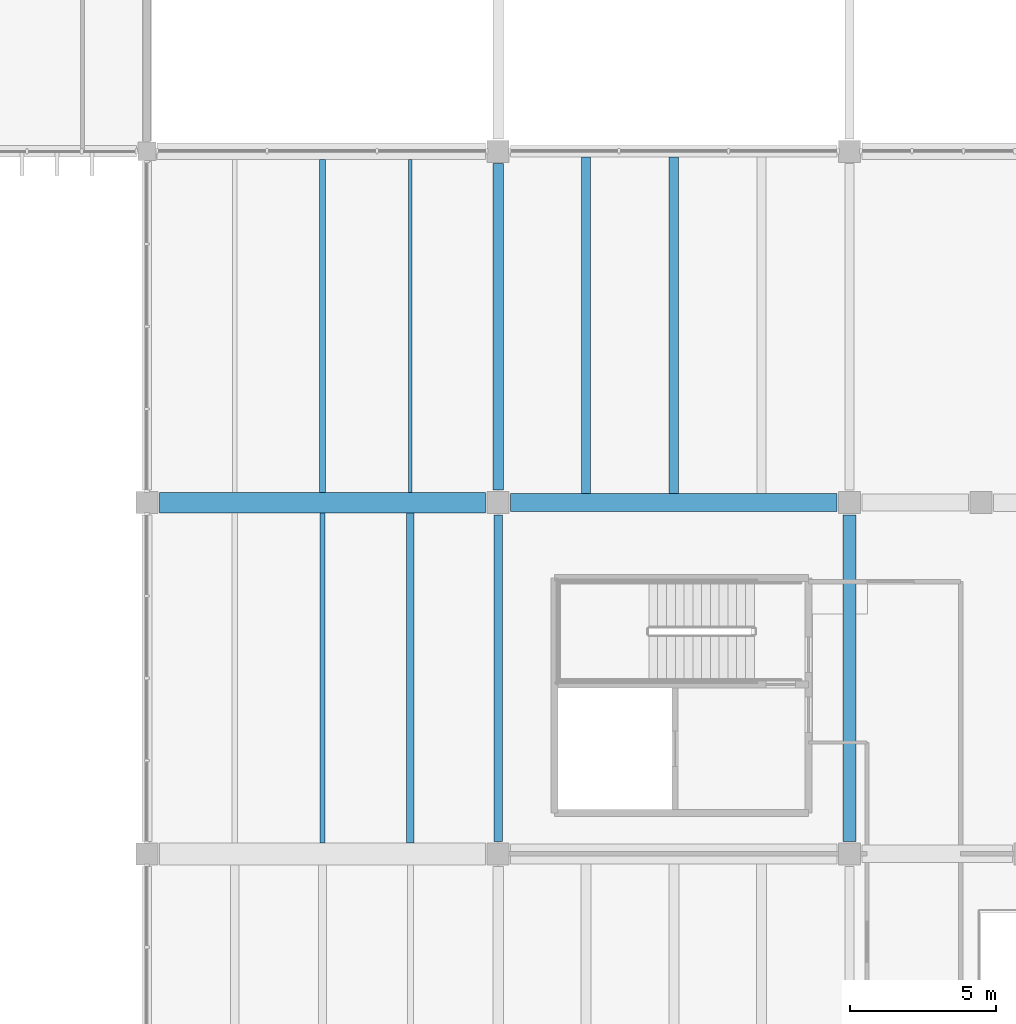
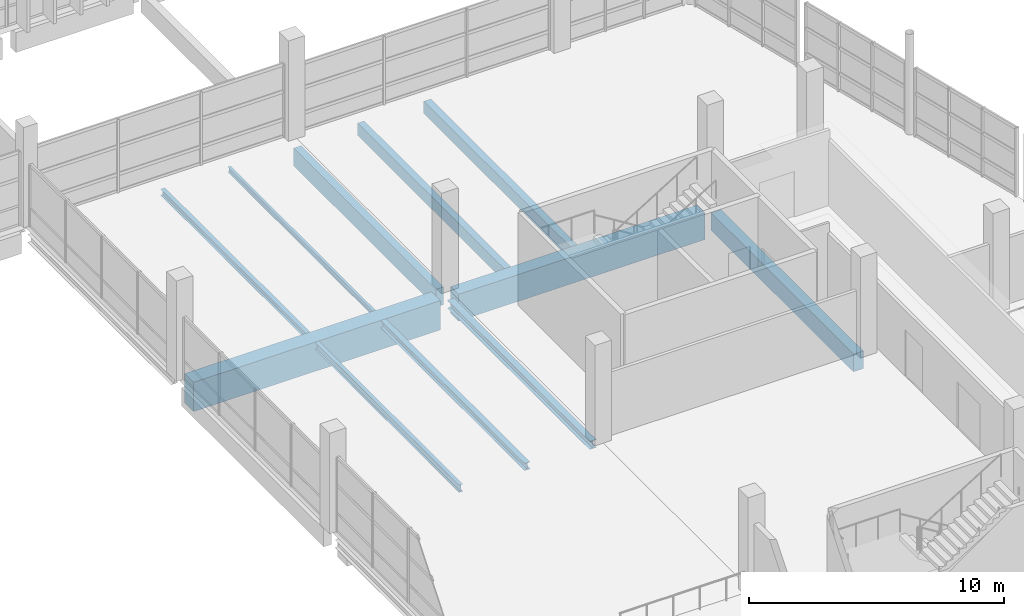
# One storey, part 44 of 112: 11 beams.
"""IFC4 building model written with IfcOpenShell, lengths in metres."""

import ifcopenshell
import ifcopenshell.guid

model = None  # the IFC model being written
_history = None  # IfcOwnerHistory: only IFC2X3 demands one
_inside = {}  # id of a spatial element -> (the spatial element, [elements in it])
_under = {}  # id of a project, library or spatial element -> (it, [spatial elements below it])
_declared = {}  # id of a project -> (the project, [libraries it declares])
_typed = {}  # id of a type object -> (the type object, [elements of that type])
_made_of = {}  # id of a material, layer set ... -> (it, [elements and type objects made of it])


def new_model(schema):
    """Start an empty IFC model of exactly this schema.

    Asked for "IFC4X3", IfcOpenShell would pick the latest addendum, in which some entities
    have other attributes; the version numbers below select the first issue.
    IFC2X3 requires an IfcOwnerHistory on every rooted entity: one is made here for all.
    """
    global model, _history
    if schema == "IFC4X3":
        model = ifcopenshell.file(schema_version=(4, 3, 0, 0))
    else:
        model = ifcopenshell.file(schema=schema)
    _inside.clear()
    _under.clear()
    _declared.clear()
    _typed.clear()
    _made_of.clear()
    _history = None
    if model.schema == "IFC2X3":
        org = make("IfcOrganization", Name="unknown")
        user = make(
            "IfcPersonAndOrganization",
            ThePerson=make("IfcPerson", FamilyName="unknown"),
            TheOrganization=org,
        )
        app = make(
            "IfcApplication",
            ApplicationDeveloper=org,
            Version="unknown",
            ApplicationFullName="unknown",
            ApplicationIdentifier="unknown",
        )
        _history = make(
            "IfcOwnerHistory",
            OwningUser=user,
            OwningApplication=app,
            ChangeAction="ADDED",
            CreationDate=0,
        )
    return model


def make(cls, **values):
    """One entity of the class cls with the attributes given. An attribute that is None is left unset."""
    return model.create_entity(
        cls, **{name: value for name, value in values.items() if value is not None}
    )


def rooted(cls, **values):
    """An entity with a GlobalId (a new one), such as an element, a storey or a relation."""
    return make(cls, GlobalId=ifcopenshell.guid.new(), OwnerHistory=_history, **values)


def si_unit(unit_type, name, prefix=None):
    """IfcSIUnit, for example si_unit("LENGTHUNIT", "METRE", prefix="MILLI")."""
    return make("IfcSIUnit", UnitType=unit_type, Prefix=prefix, Name=name)


def assignment(units):
    """IfcUnitAssignment: the units of a project."""
    return None if units is None else make("IfcUnitAssignment", Units=units)


def point(xyz):
    """IfcCartesianPoint."""
    return None if xyz is None else make("IfcCartesianPoint", Coordinates=xyz)


def direction(xyz):
    """IfcDirection."""
    return None if xyz is None else make("IfcDirection", DirectionRatios=xyz)


def frame(location, z_axis=None, x_axis=None):
    """IfcAxis2Placement3D, a coordinate frame: its origin and axes. An axis left out is left unset."""
    return make(
        "IfcAxis2Placement3D",
        Location=point(location),
        Axis=direction(z_axis),
        RefDirection=direction(x_axis),
    )


def frame_2d(location, x_axis=None):
    """IfcAxis2Placement2D, a coordinate frame in the plane: its origin and x axis."""
    return make(
        "IfcAxis2Placement2D", Location=point(location), RefDirection=direction(x_axis)
    )


def origin():
    """The frame at (0, 0, 0) with its axes left unset."""
    return frame((0.0, 0.0, 0.0))


def origin_2d():
    """The frame at (0, 0) in the plane with its x axis left unset."""
    return frame_2d((0.0, 0.0))


def place(relative_to, where):
    """IfcLocalPlacement: puts the frame where relative to a parent placement (None: the world)."""
    return make(
        "IfcLocalPlacement", PlacementRelTo=relative_to, RelativePlacement=where
    )


def context(
    kind, dimensions, precision=None, world=None, true_north=None, identifier=None
):
    """IfcGeometricRepresentationContext, for example the 3D "Model" context."""
    return make(
        "IfcGeometricRepresentationContext",
        ContextIdentifier=identifier,
        ContextType=kind,
        CoordinateSpaceDimension=dimensions,
        Precision=precision,
        WorldCoordinateSystem=world,
        TrueNorth=true_north,
    )


def subcontext(parent, identifier, kind, view, scale=None):
    """IfcGeometricRepresentationSubContext, for example "Body" below "Model"."""
    return make(
        "IfcGeometricRepresentationSubContext",
        ContextIdentifier=identifier,
        ContextType=kind,
        ParentContext=parent,
        TargetScale=scale,
        TargetView=view,
    )


def project(units=None, contexts=None):
    """IfcProject with its units and contexts."""
    return rooted(
        "IfcProject",
        Name="project",
        RepresentationContexts=contexts,
        UnitsInContext=assignment(units),
    )


def spatial(cls, under=None, at=None, **own):
    """A site, building, storey or space (cls), placed at a placement, below another one or the project."""
    s = rooted(cls, ObjectPlacement=at, **own)
    if under is not None:
        _under.setdefault(under.id(), (under, []))[1].append(s)
    return s


def profile(cls, at=None, kind="AREA", **sizes):
    """A parametric profile (cls). Its sizes go by their IFC names, for example OverallWidth=200.0."""
    return make(cls, ProfileType=kind, Position=at, **sizes)


def rectangle(**sizes):
    """IfcRectangleProfileDef."""
    return profile("IfcRectangleProfileDef", **sizes)


def i_section(**sizes):
    """IfcIShapeProfileDef."""
    return profile("IfcIShapeProfileDef", **sizes)


def extrude(swept, where, along, depth):
    """IfcExtrudedAreaSolid: the profile swept, set in the frame where, extruded along a direction by depth."""
    return make(
        "IfcExtrudedAreaSolid",
        SweptArea=swept,
        Position=where,
        ExtrudedDirection=direction(along),
        Depth=depth,
    )


def shape(context_of_items, identifier, shape_type, items):
    """IfcShapeRepresentation: the items that make up one representation, for example the "Body"."""
    return make(
        "IfcShapeRepresentation",
        ContextOfItems=context_of_items,
        RepresentationIdentifier=identifier,
        RepresentationType=shape_type,
        Items=items,
    )


def material(Name=None, Category=None):
    """IfcMaterial."""
    return make("IfcMaterial", Name=Name, Category=Category)


def material_profile(
    of_material, cross_section, Name=None, Category=None, Priority=None
):
    """IfcMaterialProfile: a cross section and its material."""
    return make(
        "IfcMaterialProfile",
        Name=Name,
        Material=of_material,
        Profile=cross_section,
        Priority=Priority,
        Category=Category,
    )


def profile_set(profiles, Name=None, composite=None):
    """IfcMaterialProfileSet."""
    return make(
        "IfcMaterialProfileSet",
        Name=Name,
        MaterialProfiles=profiles,
        CompositeProfile=composite,
    )


def made_of(thing, what):
    """Note that an element or type object is made of a material, layer set ...; save() writes the relation."""
    if what is not None:
        _made_of.setdefault(what.id(), (what, []))[1].append(thing)
    return thing


def type_object(cls, material=None, **own):
    """A type object (cls), such as IfcWallType, which elements share."""
    return made_of(rooted(cls, **own), material)


def element(
    cls,
    number,
    at=None,
    inside=None,
    cuts=None,
    type_object=None,
    material=None,
    context=None,
    identifier="Body",
    shape_type=None,
    held_by="IfcProductDefinitionShape",
    body=None,
    shapes=None,
    **own,
):
    """One element of the class cls, such as IfcWall. Its Tag is "e" and its number.

    at: its placement. inside: the storey or other place that contains it. cuts: it is an
    opening in that element (IfcRelVoidsElement). A single representation is given by context,
    identifier, shape_type and body (its items); several are given by shapes. held_by: the class
    of the entity that holds the representations. save() writes the other relations.
    """
    e = rooted(cls, Tag="e%d" % number, ObjectPlacement=at, **own)
    if body is not None:
        shapes = [shape(context, identifier, shape_type, body)]
    if shapes is not None:
        e.Representation = make(held_by, Representations=shapes)
    if inside is not None:
        _inside.setdefault(inside.id(), (inside, []))[1].append(e)
    if cuts is not None:
        rooted(
            "IfcRelVoidsElement", RelatingBuildingElement=cuts, RelatedOpeningElement=e
        )
    if type_object is not None:
        _typed.setdefault(type_object.id(), (type_object, []))[1].append(e)
    return made_of(e, material)


def aggregate(whole, parts):
    """IfcRelAggregates: a whole, such as a stair, and the parts it consists of."""
    return rooted("IfcRelAggregates", RelatingObject=whole, RelatedObjects=parts)


def save(model, path):
    """Write the relations noted so far, then the file.

    IfcRelAggregates (storeys below a building ...), IfcRelContainedInSpatialStructure (elements
    in a storey), IfcRelDefinesByType, IfcRelAssociatesMaterial and IfcRelDeclares: one each for
    every whole, place, type object, material and project.
    """
    for whole, parts in _under.values():
        aggregate(whole, parts)
    for where, things in _inside.values():
        rooted(
            "IfcRelContainedInSpatialStructure",
            RelatedElements=things,
            RelatingStructure=where,
        )
    for kind, things in _typed.values():
        rooted("IfcRelDefinesByType", RelatedObjects=things, RelatingType=kind)
    for what, things in _made_of.values():
        rooted("IfcRelAssociatesMaterial", RelatedObjects=things, RelatingMaterial=what)
    for by, libraries in _declared.values():
        rooted("IfcRelDeclares", RelatingContext=by, RelatedDefinitions=libraries)
    model.write(path)


model = new_model("IFC4")

# Units and contexts
model_context = context("Model", 3, precision=1e-05, world=origin(), true_north=direction((0.0, 1.0)))
body_context = subcontext(model_context, "Body", "Model", "MODEL_VIEW")
ifc_project = project(units=[si_unit("LENGTHUNIT", "METRE"), si_unit("AREAUNIT", "SQUARE_METRE"), si_unit("VOLUMEUNIT", "CUBIC_METRE"), si_unit("PLANEANGLEUNIT", "RADIAN"), si_unit("MASSUNIT", "GRAM", prefix="KILO")], contexts=[model_context])

# Site, building, storey
site_placement = place(None, origin())
site = spatial("IfcSite", under=ifc_project, at=site_placement, CompositionType="ELEMENT")
building_placement = place(site_placement, origin())
building = spatial("IfcBuilding", under=site, at=building_placement, Name="Kamomehara Wholesale Market", CompositionType="ELEMENT")
storey_placement = place(building_placement, frame((0.0, 0.0, 6.60009765625)))
storey = spatial("IfcBuildingStorey", under=building, at=storey_placement, Name="L01", CompositionType="ELEMENT", Elevation=6.60009765625)

# Beams
ifc_material_1 = material(Name="Precast concrete Fc45 (C40/50)", Category="concrete")
ifc_material_profile_1 = material_profile(ifc_material_1, rectangle(XDim=0.6201171875, YDim=1.280029296875, at=origin_2d()), Name="PC-GRD-620x1280")
ifc_profile_set_1 = profile_set([ifc_material_profile_1], Name="Precast concrete Fc45 (C40/50)")
beam_type_1 = type_object("IfcBeamType", Name="BM-PG1280", PredefinedType="T_BEAM", material=ifc_profile_set_1)
beam_1_placement = place(storey_placement, frame((168.425048828125, 84.0, -0.9921875), z_axis=(1.0, 0.0, 0.0), x_axis=(0.0, 1.0, 0.0)))
element("IfcBeam", 1, at=beam_1_placement, inside=storey, type_object=beam_type_1, Name="Beam PG-13 L01", PredefinedType="T_BEAM", context=body_context, shape_type="SweptSolid", body=[
    extrude(rectangle(XDim=0.6201171875, YDim=1.280029296875, at=origin_2d()), origin(), (0.0, 0.0, 1.0), 11.14990234375),
])
ifc_material_2 = material(Name="Precast concrete Fc45 (C40/50)", Category="concrete")
ifc_material_profile_2 = material_profile(ifc_material_2, rectangle(XDim=0.699951171875, YDim=1.39990234375, at=origin_2d()), Name="PC-GRD-700x1400")
ifc_profile_set_2 = profile_set([ifc_material_profile_2], Name="Precast concrete Fc45 (C40/50)")
beam_type_2 = type_object("IfcBeamType", Name="BM-PG1400", PredefinedType="T_BEAM", material=ifc_profile_set_2)
beam_2_placement = place(storey_placement, frame((156.425048828125, 84.0, -1.031982421875), z_axis=(1.0, 0.0, 0.0), x_axis=(0.0, 1.0, 0.0)))
element("IfcBeam", 2, at=beam_2_placement, inside=storey, type_object=beam_type_2, Name="Beam PG-02 L01", PredefinedType="T_BEAM", context=body_context, shape_type="SweptSolid", body=[
    extrude(rectangle(XDim=0.699951171875, YDim=1.39990234375, at=origin_2d()), origin(), (0.0, 0.0, 1.0), 11.14990234375),
])
ifc_material_3 = material(Name="Precast concrete Fc45 (C40/50)", Category="concrete")
ifc_material_profile_3 = material_profile(ifc_material_3, rectangle(XDim=0.449951171875, YDim=0.85009765625, at=origin_2d()), Name="PC-GRD-450x850")
ifc_profile_set_3 = profile_set([ifc_material_profile_3], Name="Precast concrete Fc45 (C40/50)")
beam_type_3 = type_object("IfcBeamType", Name="BM-PG850", PredefinedType="T_BEAM", material=ifc_profile_set_3)
beam_3_placement = place(storey_placement, frame((180.0, 72.425048828125, -0.777099609375), z_axis=(0.0, 1.0, 0.0), x_axis=(-1.0, 0.0, 0.0)))
element("IfcBeam", 3, at=beam_3_placement, inside=storey, type_object=beam_type_3, Name="Beam PG-11 L01", PredefinedType="T_BEAM", context=body_context, shape_type="SweptSolid", body=[
    extrude(rectangle(XDim=0.449951171875, YDim=0.85009765625, at=origin_2d()), origin(), (0.0, 0.0, 1.0), 11.14990234375),
])
ifc_material_4 = material(Name="Precast concrete Fc45 (C40/50)", Category="concrete")
ifc_material_profile_4 = material_profile(ifc_material_4, rectangle(XDim=0.320068359375, YDim=0.60009765625, at=origin_2d()), Name="PC-JST-320x600")
ifc_profile_set_4 = profile_set([ifc_material_profile_4], Name="Precast concrete Fc45 (C40/50)")
beam_type_4 = type_object("IfcBeamType", Name="BM-PJ600", PredefinedType="JOIST", material=ifc_profile_set_4)
beam_4_placement = place(storey_placement, frame((174.0, 84.31005859375, -0.652099609375), z_axis=(0.0, 1.0, 0.0), x_axis=(-1.0, 0.0, 0.0)))
element("IfcBeam", 4, at=beam_4_placement, inside=storey, type_object=beam_type_4, Name="Beam PJ-05 L01", PredefinedType="JOIST", context=body_context, shape_type="SweptSolid", body=[
    extrude(rectangle(XDim=0.320068359375, YDim=0.60009765625, at=origin_2d()), origin(), (0.0, 0.0, 1.0), 11.489990234375),
])
ifc_material_5 = material(Name="Precast concrete Fc45 (C40/50)", Category="concrete")
ifc_material_profile_5 = material_profile(ifc_material_5, rectangle(XDim=0.300048828125, YDim=0.60009765625, at=origin_2d()), Name="PC-JST-300x600")
ifc_profile_set_5 = profile_set([ifc_material_profile_5], Name="Precast concrete Fc45 (C40/50)")
beam_type_5 = type_object("IfcBeamType", Name="BM-PJ600B", PredefinedType="JOIST", material=ifc_profile_set_5)
beam_5_placement = place(storey_placement, frame((171.0, 84.31005859375, -0.652099609375), z_axis=(0.0, 1.0, 0.0), x_axis=(-1.0, 0.0, 0.0)))
element("IfcBeam", 5, at=beam_5_placement, inside=storey, type_object=beam_type_5, Name="Beam PJ-10 L01", PredefinedType="JOIST", context=body_context, shape_type="SweptSolid", body=[
    extrude(rectangle(XDim=0.300048828125, YDim=0.60009765625, at=origin_2d()), origin(), (0.0, 0.0, 1.0), 11.489990234375),
])
ifc_material_6 = material(Name="Precast concrete Fc45 (C40/50)", Category="concrete")
ifc_material_profile_6 = material_profile(ifc_material_6, rectangle(XDim=0.35009765625, YDim=0.85009765625, at=origin_2d()), Name="PC-SPN-350x850")
ifc_profile_set_6 = profile_set([ifc_material_profile_6], Name="Precast concrete Fc45 (C40/50)")
beam_type_6 = type_object("IfcBeamType", Name="BM-SPN850-EXT", PredefinedType="SPANDREL", material=ifc_profile_set_6)
beam_6_placement = place(storey_placement, frame((168.0, 84.425048828125, -0.777099609375), z_axis=(0.0, 1.0, 0.0), x_axis=(-1.0, 0.0, 0.0)))
element("IfcBeam", 6, at=beam_6_placement, inside=storey, type_object=beam_type_6, Name="Beam SPN-02E L01", PredefinedType="SPANDREL", context=body_context, shape_type="SweptSolid", body=[
    extrude(rectangle(XDim=0.35009765625, YDim=0.85009765625, at=origin_2d()), origin(), (0.0, 0.0, 1.0), 11.14990234375),
])
ifc_material_7 = material(Name="Steel SN400B", Category="steel")
ifc_material_profile_7 = material_profile(ifc_material_7, i_section(OverallWidth=0.125, OverallDepth=0.25, WebThickness=0.006103515625, FlangeThickness=0.009033203125, FilletRadius=0.008056640625, at=origin_2d()), Name="H-250x125x6x9")
ifc_profile_set_7 = profile_set([ifc_material_profile_7], Name="Steel SN400B")
beam_type_7 = type_object("IfcBeamType", Name="BM-ST-H250", PredefinedType="JOIST", material=ifc_profile_set_7)
beam_7_placement = place(storey_placement, frame((165.0, 84.35009765625, -0.45703125), z_axis=(0.0, 1.0, 0.0), x_axis=(-1.0, 0.0, 0.0)))
element("IfcBeam", 7, at=beam_7_placement, inside=storey, type_object=beam_type_7, Name="Beam SJ-06 L01", PredefinedType="JOIST", context=body_context, shape_type="SweptSolid", body=[
    extrude(i_section(OverallWidth=0.125, OverallDepth=0.25, WebThickness=0.006103515625, FlangeThickness=0.009033203125, FilletRadius=0.008056640625, at=origin_2d()), origin(), (0.0, 0.0, 1.0), 11.375),
])
ifc_material_8 = material(Name="Steel SN400B", Category="steel")
ifc_material_profile_8 = material_profile(ifc_material_8, i_section(OverallWidth=0.199951171875, OverallDepth=0.2939453125, WebThickness=0.008056640625, FlangeThickness=0.011962890625, FilletRadius=0.012939453125, at=origin_2d()), Name="H-294x200x8x12")
ifc_profile_set_8 = profile_set([ifc_material_profile_8], Name="Steel SN400B")
beam_type_8 = type_object("IfcBeamType", Name="BM-ST-H294", PredefinedType="JOIST", material=ifc_profile_set_8)
beam_8_placement = place(storey_placement, frame((162.0, 84.35009765625, -0.47900390625), z_axis=(0.0, 1.0, 0.0), x_axis=(-1.0, 0.0, 0.0)))
element("IfcBeam", 8, at=beam_8_placement, inside=storey, type_object=beam_type_8, Name="Beam SJ-09 L01", PredefinedType="JOIST", context=body_context, shape_type="SweptSolid", body=[
    extrude(i_section(OverallWidth=0.199951171875, OverallDepth=0.2939453125, WebThickness=0.008056640625, FlangeThickness=0.011962890625, FilletRadius=0.012939453125, at=origin_2d()), origin(), (0.0, 0.0, 1.0), 11.375),
])
ifc_material_9 = material(Name="Steel SN490B", Category="steel")
ifc_material_profile_9 = material_profile(ifc_material_9, i_section(OverallWidth=0.25, OverallDepth=0.340087890625, WebThickness=0.009033203125, FlangeThickness=0.013916015625, FilletRadius=0.012939453125, at=origin_2d()), Name="H-340x250x9x14")
ifc_profile_set_9 = profile_set([ifc_material_profile_9], Name="Steel SN490B")
beam_type_9 = type_object("IfcBeamType", Name="BM-ST-H340", PredefinedType="JOIST", material=ifc_profile_set_9)
beam_9_placement = place(storey_placement, frame((165.0, 72.375, -0.502197265625), z_axis=(0.0, 1.0, 0.0), x_axis=(-1.0, 0.0, 0.0)))
element("IfcBeam", 9, at=beam_9_placement, inside=storey, type_object=beam_type_9, Name="Beam SJ-08 L01", PredefinedType="JOIST", context=body_context, shape_type="SweptSolid", body=[
    extrude(i_section(OverallWidth=0.25, OverallDepth=0.340087890625, WebThickness=0.009033203125, FlangeThickness=0.013916015625, FilletRadius=0.012939453125, at=origin_2d()), origin(), (0.0, 0.0, 1.0), 11.27490234375),
])
ifc_material_10 = material(Name="Steel SN400B", Category="steel")
ifc_material_profile_10 = material_profile(ifc_material_10, i_section(OverallWidth=0.175048828125, OverallDepth=0.35009765625, WebThickness=0.007080078125, FlangeThickness=0.010986328125, FilletRadius=0.012939453125, at=origin_2d()), Name="H-350x175x7x11")
ifc_profile_set_10 = profile_set([ifc_material_profile_10], Name="Steel SN400B")
beam_type_10 = type_object("IfcBeamType", Name="BM-ST-H350", PredefinedType="JOIST", material=ifc_profile_set_10)
beam_10_placement = place(storey_placement, frame((162.0, 72.375, -0.507080078125), z_axis=(0.0, 1.0, 0.0), x_axis=(-1.0, 0.0, 0.0)))
element("IfcBeam", 10, at=beam_10_placement, inside=storey, type_object=beam_type_10, Name="Beam SJ-04 L01", PredefinedType="JOIST", context=body_context, shape_type="SweptSolid", body=[
    extrude(i_section(OverallWidth=0.175048828125, OverallDepth=0.35009765625, WebThickness=0.007080078125, FlangeThickness=0.010986328125, FilletRadius=0.012939453125, at=origin_2d()), origin(), (0.0, 0.0, 1.0), 11.27490234375),
])
ifc_material_11 = material(Name="Steel SN490B", Category="steel")
ifc_material_profile_11 = material_profile(ifc_material_11, i_section(OverallWidth=0.300048828125, OverallDepth=0.389892578125, WebThickness=0.010009765625, FlangeThickness=0.01611328125, FilletRadius=0.01806640625, at=origin_2d()), Name="H-390x300x10x16")
ifc_profile_set_11 = profile_set([ifc_material_profile_11], Name="Steel SN490B")
beam_type_11 = type_object("IfcBeamType", Name="BM-ST-H390-EXT", PredefinedType="SPANDREL", material=ifc_profile_set_11)
beam_11_placement = place(storey_placement, frame((168.0, 72.425048828125, -0.547119140625), z_axis=(0.0, 1.0, 0.0), x_axis=(-1.0, 0.0, 0.0)))
element("IfcBeam", 11, at=beam_11_placement, inside=storey, type_object=beam_type_11, Name="Beam SJ-03E L01", PredefinedType="SPANDREL", context=body_context, shape_type="SweptSolid", body=[
    extrude(i_section(OverallWidth=0.300048828125, OverallDepth=0.389892578125, WebThickness=0.010009765625, FlangeThickness=0.01611328125, FilletRadius=0.01806640625, at=origin_2d()), origin(), (0.0, 0.0, 1.0), 11.14990234375),
])

save(model, "model.ifc")
